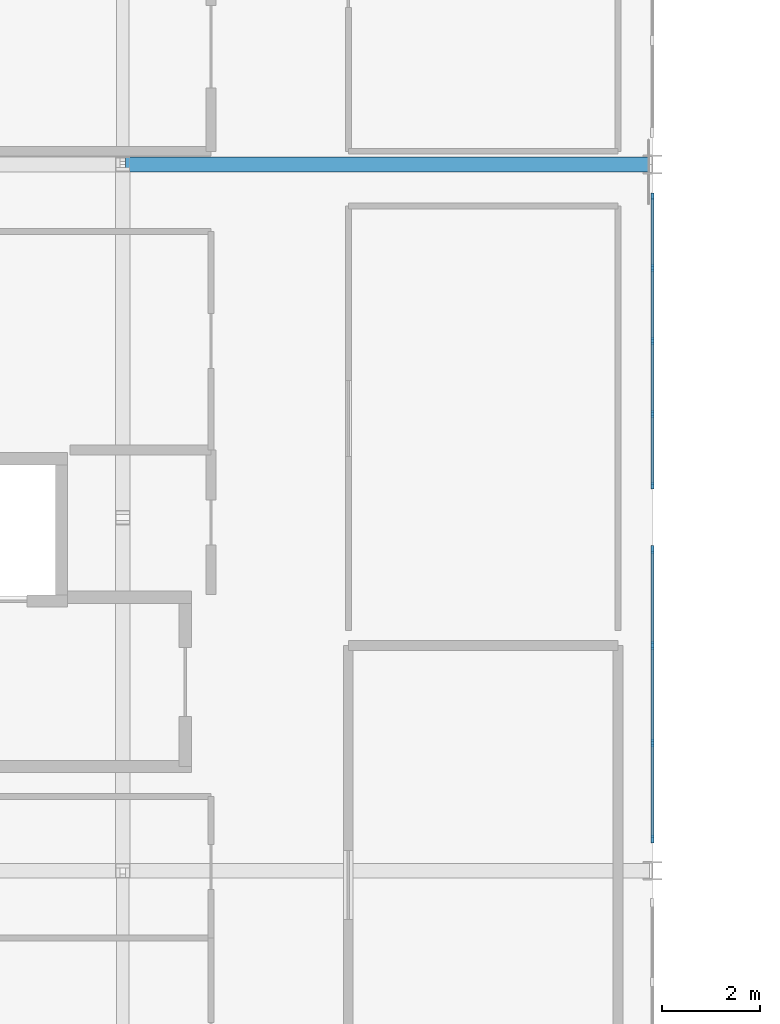
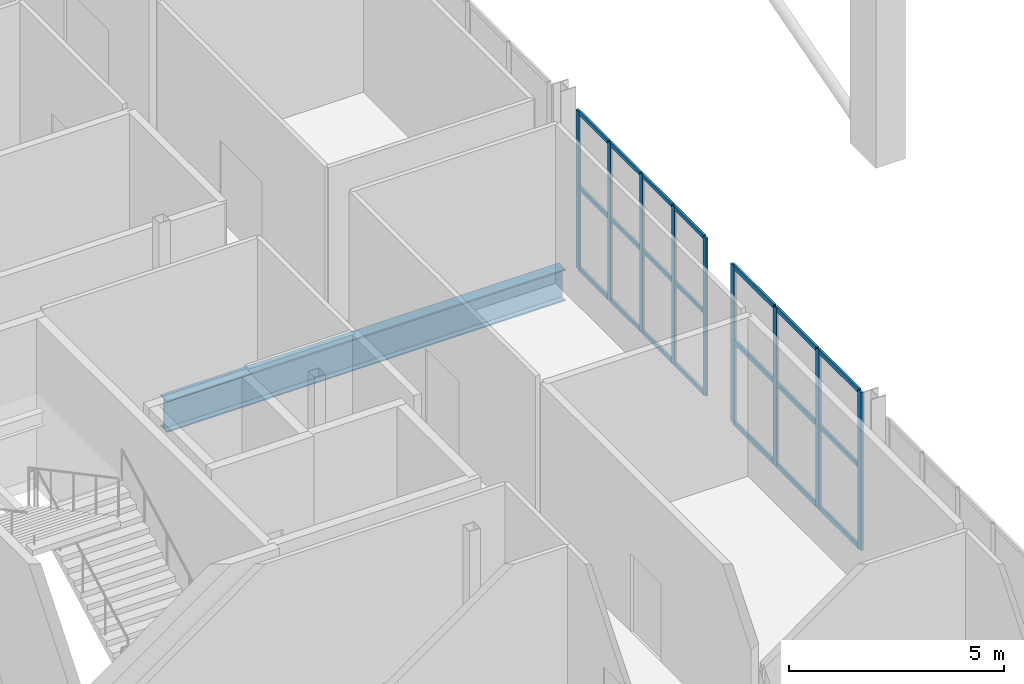
# One storey, part 13 of 51: 30 members, 1 beam, 2 elements without a shape of their own.
"""IFC4 building model written with IfcOpenShell, lengths in metres."""

from ifc_helpers import new_model, si_unit, direction, frame, origin, origin_2d, place, context, subcontext, project, spatial, rectangle, i_section, extrude, material, material_profile, profile_set, type_object, element, aggregate, save


model = new_model("IFC4")

# Units and contexts
model_context = context("Model", 3, precision=1e-05, world=origin(), true_north=direction((0.0, 1.0)))
body_context = subcontext(model_context, "Body", "Model", "MODEL_VIEW")
ifc_project = project(units=[si_unit("LENGTHUNIT", "METRE"), si_unit("AREAUNIT", "SQUARE_METRE"), si_unit("VOLUMEUNIT", "CUBIC_METRE"), si_unit("PLANEANGLEUNIT", "RADIAN"), si_unit("MASSUNIT", "GRAM", prefix="KILO")], contexts=[model_context])

# Site, building, storey
site_placement = place(None, origin())
site = spatial("IfcSite", under=ifc_project, at=site_placement, CompositionType="ELEMENT")
building_placement = place(site_placement, origin())
building = spatial("IfcBuilding", under=site, at=building_placement, Name="Koshinbarg Plaza Stadium", CompositionType="ELEMENT")
storey_placement = place(building_placement, frame((0.0, 0.0, 24.60009765625)))
storey = spatial("IfcBuildingStorey", under=building, at=storey_placement, Name="L05", CompositionType="ELEMENT", Elevation=24.60009765625)

# Beam
ifc_material_1 = material(Name="Steel S355", Category="steel")
ifc_material_profile_1 = material_profile(ifc_material_1, i_section(OverallWidth=0.300048828125, OverallDepth=0.89990234375, WebThickness=0.0185546875, FlangeThickness=0.034912109375, at=origin_2d()), Name="HEB 900")
ifc_profile_set_1 = profile_set([ifc_material_profile_1], Name="Steel S355")
beam_type = type_object("IfcBeamType", Name="BM-SGIR-05", PredefinedType="USERDEFINED", material=ifc_profile_set_1)
beam_placement = place(storey_placement, frame((35.4599609375, 111.89990234375, -0.75), z_axis=(1.0, 0.0, 0.0), x_axis=(0.0, 1.0, 0.0)))
element("IfcBeam", 1, at=beam_placement, inside=storey, type_object=beam_type, Name="L05 X girder Q/6-7", ObjectType="GIRDER", PredefinedType="USERDEFINED", context=body_context, shape_type="SweptSolid", body=[
    extrude(i_section(OverallWidth=0.300048828125, OverallDepth=0.89990234375, WebThickness=0.0185546875, FlangeThickness=0.034912109375, at=origin_2d()), origin(), (0.0, 0.0, 1.0), 10.679931640625),
])

# Curtain wall, members
ifc_material_2 = material(Name="Thermally broken anodised aluminium and low-E double glazing", Category="aluminium")
curtain_wall_type_1 = type_object("IfcCurtainWallType", Name="CW-SYS-05", PredefinedType="NOTDEFINED", material=ifc_material_2)
curtain_wall_1_placement = place(storey_placement, origin())
curtain_wall_1 = element("IfcCurtainWall", 2, at=curtain_wall_1_placement, inside=storey, type_object=curtain_wall_type_1, Name="L05 unitised curtain wall CW-L05-132", PredefinedType="NOTDEFINED")
ifc_material_3 = material(Name="Anodised aluminium mullion", Category="aluminium")
ifc_material_profile_2 = material_profile(ifc_material_3, rectangle(XDim=0.06005859375, YDim=0.139892578125, at=origin_2d()), Name="ALU 60x140")
ifc_profile_set_2 = profile_set([ifc_material_profile_2], Name="Anodised aluminium mullion")
member_type_1 = type_object("IfcMemberType", Name="CW-MUL-01", PredefinedType="MULLION", material=ifc_profile_set_2)
member_1_placement = place(storey_placement, frame((46.199951171875, 111.25, 0.0), z_axis=(0.0, 0.0, 1.0), x_axis=(1.0, 0.0, 0.0)))
member_1 = element("IfcMember", 3, at=member_1_placement, type_object=member_type_1, Name="CW05 mullion 1", PredefinedType="MULLION", context=body_context, shape_type="SweptSolid", body=[
    extrude(rectangle(XDim=0.06005859375, YDim=0.139892578125, at=origin_2d()), origin(), (0.0, 0.0, 1.0), 4.47998046875),
])
member_2_placement = place(storey_placement, frame((46.199951171875, 109.7900390625, 0.0), z_axis=(0.0, 0.0, 1.0), x_axis=(1.0, 0.0, 0.0)))
member_2 = element("IfcMember", 4, at=member_2_placement, type_object=member_type_1, Name="CW05 mullion 2", PredefinedType="MULLION", context=body_context, shape_type="SweptSolid", body=[
    extrude(rectangle(XDim=0.06005859375, YDim=0.139892578125, at=origin_2d()), origin(), (0.0, 0.0, 1.0), 4.47998046875),
])
member_3_placement = place(storey_placement, frame((46.199951171875, 108.300048828125, 0.0), z_axis=(0.0, 0.0, 1.0), x_axis=(1.0, 0.0, 0.0)))
member_3 = element("IfcMember", 5, at=member_3_placement, type_object=member_type_1, Name="CW05 mullion 3", PredefinedType="MULLION", context=body_context, shape_type="SweptSolid", body=[
    extrude(rectangle(XDim=0.06005859375, YDim=0.139892578125, at=origin_2d()), origin(), (0.0, 0.0, 1.0), 4.47998046875),
])
member_4_placement = place(storey_placement, frame((46.199951171875, 106.81005859375, 0.0), z_axis=(0.0, 0.0, 1.0), x_axis=(1.0, 0.0, 0.0)))
member_4 = element("IfcMember", 6, at=member_4_placement, type_object=member_type_1, Name="CW05 mullion 4", PredefinedType="MULLION", context=body_context, shape_type="SweptSolid", body=[
    extrude(rectangle(XDim=0.06005859375, YDim=0.139892578125, at=origin_2d()), origin(), (0.0, 0.0, 1.0), 4.47998046875),
])
member_5_placement = place(storey_placement, frame((46.199951171875, 105.35009765625, 0.0), z_axis=(0.0, 0.0, 1.0), x_axis=(1.0, 0.0, 0.0)))
member_5 = element("IfcMember", 7, at=member_5_placement, type_object=member_type_1, Name="CW05 mullion 5", PredefinedType="MULLION", context=body_context, shape_type="SweptSolid", body=[
    extrude(rectangle(XDim=0.06005859375, YDim=0.139892578125, at=origin_2d()), origin(), (0.0, 0.0, 1.0), 4.47998046875),
])

curtain_wall_type_2 = type_object("IfcCurtainWallType", Name="CW-SYS-06", PredefinedType="NOTDEFINED", material=ifc_material_2)
curtain_wall_2_placement = place(storey_placement, origin())
curtain_wall_2 = element("IfcCurtainWall", 8, at=curtain_wall_2_placement, inside=storey, type_object=curtain_wall_type_2, Name="L05 unitised curtain wall CW-L05-133", PredefinedType="NOTDEFINED")
ifc_material_profile_3 = material_profile(ifc_material_3, rectangle(XDim=0.06005859375, YDim=0.159912109375, at=origin_2d()), Name="ALU 60x160")
ifc_profile_set_3 = profile_set([ifc_material_profile_3], Name="Anodised aluminium mullion")
member_type_2 = type_object("IfcMemberType", Name="CW-MUL-02", PredefinedType="MULLION", material=ifc_profile_set_3)
member_6_placement = place(storey_placement, frame((46.199951171875, 104.050048828125, 0.0), z_axis=(0.0, 0.0, 1.0), x_axis=(1.0, 0.0, 0.0)))
member_6 = element("IfcMember", 9, at=member_6_placement, type_object=member_type_2, Name="CW06 mullion 1", PredefinedType="MULLION", context=body_context, shape_type="SweptSolid", body=[
    extrude(rectangle(XDim=0.06005859375, YDim=0.159912109375, at=origin_2d()), origin(), (0.0, 0.0, 1.0), 4.47998046875),
])
member_7_placement = place(storey_placement, frame((46.199951171875, 102.09326171875, 0.0), z_axis=(0.0, 0.0, 1.0), x_axis=(1.0, 0.0, 0.0)))
member_7 = element("IfcMember", 10, at=member_7_placement, type_object=member_type_2, Name="CW06 mullion 2", PredefinedType="MULLION", context=body_context, shape_type="SweptSolid", body=[
    extrude(rectangle(XDim=0.06005859375, YDim=0.159912109375, at=origin_2d()), origin(), (0.0, 0.0, 1.0), 4.47998046875),
])
member_8_placement = place(storey_placement, frame((46.199951171875, 100.106689453125, 0.0), z_axis=(0.0, 0.0, 1.0), x_axis=(1.0, 0.0, 0.0)))
member_8 = element("IfcMember", 11, at=member_8_placement, type_object=member_type_2, Name="CW06 mullion 3", PredefinedType="MULLION", context=body_context, shape_type="SweptSolid", body=[
    extrude(rectangle(XDim=0.06005859375, YDim=0.159912109375, at=origin_2d()), origin(), (0.0, 0.0, 1.0), 4.47998046875),
])
member_9_placement = place(storey_placement, frame((46.199951171875, 98.14990234375, 0.0), z_axis=(0.0, 0.0, 1.0), x_axis=(1.0, 0.0, 0.0)))
member_9 = element("IfcMember", 12, at=member_9_placement, type_object=member_type_2, Name="CW06 mullion 4", PredefinedType="MULLION", context=body_context, shape_type="SweptSolid", body=[
    extrude(rectangle(XDim=0.06005859375, YDim=0.159912109375, at=origin_2d()), origin(), (0.0, 0.0, 1.0), 4.47998046875),
])

# Member
ifc_material_4 = material(Name="Anodised aluminium transom", Category="aluminium")
ifc_material_profile_4 = material_profile(ifc_material_4, rectangle(XDim=0.06005859375, YDim=0.110107421875, at=origin_2d()), Name="ALU 60x110")
ifc_profile_set_4 = profile_set([ifc_material_profile_4], Name="Anodised aluminium transom")
member_type_3 = type_object("IfcMemberType", Name="CW-TRN-01", PredefinedType="USERDEFINED", material=ifc_profile_set_4)
member_10_placement = place(storey_placement, frame((46.199951171875, 111.219970703125, 0.02978515625), z_axis=(0.0, -1.0, 0.0), x_axis=(1.0, 0.0, 0.0)))
member_10 = element("IfcMember", 13, at=member_10_placement, type_object=member_type_3, Name="CW05 transom 1.1", ObjectType="TRANSOM", PredefinedType="USERDEFINED", context=body_context, shape_type="SweptSolid", body=[
    extrude(rectangle(XDim=0.06005859375, YDim=0.110107421875, at=origin_2d()), origin(), (0.0, 0.0, 1.0), 1.39990234375),
])

member_11_placement = place(storey_placement, frame((46.199951171875, 111.219970703125, 2.32958984375), z_axis=(0.0, -1.0, 0.0), x_axis=(1.0, 0.0, 0.0)))
member_11 = element("IfcMember", 14, at=member_11_placement, type_object=member_type_3, Name="CW05 transom 1.2", ObjectType="TRANSOM", PredefinedType="USERDEFINED", context=body_context, shape_type="SweptSolid", body=[
    extrude(rectangle(XDim=0.06005859375, YDim=0.110107421875, at=origin_2d()), origin(), (0.0, 0.0, 1.0), 1.39990234375),
])

member_12_placement = place(storey_placement, frame((46.199951171875, 111.219970703125, 4.449951171875), z_axis=(0.0, -1.0, 0.0), x_axis=(1.0, 0.0, 0.0)))
member_12 = element("IfcMember", 15, at=member_12_placement, type_object=member_type_3, Name="CW05 transom 1.3", ObjectType="TRANSOM", PredefinedType="USERDEFINED", context=body_context, shape_type="SweptSolid", body=[
    extrude(rectangle(XDim=0.06005859375, YDim=0.110107421875, at=origin_2d()), origin(), (0.0, 0.0, 1.0), 1.39990234375),
])

member_13_placement = place(storey_placement, frame((46.199951171875, 109.760009765625, 0.02978515625), z_axis=(0.0, -1.0, 0.0), x_axis=(1.0, 0.0, 0.0)))
member_13 = element("IfcMember", 16, at=member_13_placement, type_object=member_type_3, Name="CW05 transom 2.1", ObjectType="TRANSOM", PredefinedType="USERDEFINED", context=body_context, shape_type="SweptSolid", body=[
    extrude(rectangle(XDim=0.06005859375, YDim=0.110107421875, at=origin_2d()), origin(), (0.0, 0.0, 1.0), 1.429931640625),
])

member_14_placement = place(storey_placement, frame((46.199951171875, 109.760009765625, 2.32958984375), z_axis=(0.0, -1.0, 0.0), x_axis=(1.0, 0.0, 0.0)))
member_14 = element("IfcMember", 17, at=member_14_placement, type_object=member_type_3, Name="CW05 transom 2.2", ObjectType="TRANSOM", PredefinedType="USERDEFINED", context=body_context, shape_type="SweptSolid", body=[
    extrude(rectangle(XDim=0.06005859375, YDim=0.110107421875, at=origin_2d()), origin(), (0.0, 0.0, 1.0), 1.429931640625),
])

member_15_placement = place(storey_placement, frame((46.199951171875, 109.760009765625, 4.449951171875), z_axis=(0.0, -1.0, 0.0), x_axis=(1.0, 0.0, 0.0)))
member_15 = element("IfcMember", 18, at=member_15_placement, type_object=member_type_3, Name="CW05 transom 2.3", ObjectType="TRANSOM", PredefinedType="USERDEFINED", context=body_context, shape_type="SweptSolid", body=[
    extrude(rectangle(XDim=0.06005859375, YDim=0.110107421875, at=origin_2d()), origin(), (0.0, 0.0, 1.0), 1.429931640625),
])

member_16_placement = place(storey_placement, frame((46.199951171875, 108.27001953125, 0.02978515625), z_axis=(0.0, -1.0, 0.0), x_axis=(1.0, 0.0, 0.0)))
member_16 = element("IfcMember", 19, at=member_16_placement, type_object=member_type_3, Name="CW05 transom 3.1", ObjectType="TRANSOM", PredefinedType="USERDEFINED", context=body_context, shape_type="SweptSolid", body=[
    extrude(rectangle(XDim=0.06005859375, YDim=0.110107421875, at=origin_2d()), origin(), (0.0, 0.0, 1.0), 1.429931640625),
])

member_17_placement = place(storey_placement, frame((46.199951171875, 108.27001953125, 2.32958984375), z_axis=(0.0, -1.0, 0.0), x_axis=(1.0, 0.0, 0.0)))
member_17 = element("IfcMember", 20, at=member_17_placement, type_object=member_type_3, Name="CW05 transom 3.2", ObjectType="TRANSOM", PredefinedType="USERDEFINED", context=body_context, shape_type="SweptSolid", body=[
    extrude(rectangle(XDim=0.06005859375, YDim=0.110107421875, at=origin_2d()), origin(), (0.0, 0.0, 1.0), 1.429931640625),
])

member_18_placement = place(storey_placement, frame((46.199951171875, 108.27001953125, 4.449951171875), z_axis=(0.0, -1.0, 0.0), x_axis=(1.0, 0.0, 0.0)))
member_18 = element("IfcMember", 21, at=member_18_placement, type_object=member_type_3, Name="CW05 transom 3.3", ObjectType="TRANSOM", PredefinedType="USERDEFINED", context=body_context, shape_type="SweptSolid", body=[
    extrude(rectangle(XDim=0.06005859375, YDim=0.110107421875, at=origin_2d()), origin(), (0.0, 0.0, 1.0), 1.429931640625),
])

member_19_placement = place(storey_placement, frame((46.199951171875, 106.780029296875, 0.02978515625), z_axis=(0.0, -1.0, 0.0), x_axis=(1.0, 0.0, 0.0)))
member_19 = element("IfcMember", 22, at=member_19_placement, type_object=member_type_3, Name="CW05 transom 4.1", ObjectType="TRANSOM", PredefinedType="USERDEFINED", context=body_context, shape_type="SweptSolid", body=[
    extrude(rectangle(XDim=0.06005859375, YDim=0.110107421875, at=origin_2d()), origin(), (0.0, 0.0, 1.0), 1.400146484375),
])

member_20_placement = place(storey_placement, frame((46.199951171875, 106.780029296875, 2.32958984375), z_axis=(0.0, -1.0, 0.0), x_axis=(1.0, 0.0, 0.0)))
member_20 = element("IfcMember", 23, at=member_20_placement, type_object=member_type_3, Name="CW05 transom 4.2", ObjectType="TRANSOM", PredefinedType="USERDEFINED", context=body_context, shape_type="SweptSolid", body=[
    extrude(rectangle(XDim=0.06005859375, YDim=0.110107421875, at=origin_2d()), origin(), (0.0, 0.0, 1.0), 1.400146484375),
])

member_21_placement = place(storey_placement, frame((46.199951171875, 106.780029296875, 4.449951171875), z_axis=(0.0, -1.0, 0.0), x_axis=(1.0, 0.0, 0.0)))
member_21 = element("IfcMember", 24, at=member_21_placement, type_object=member_type_3, Name="CW05 transom 4.3", ObjectType="TRANSOM", PredefinedType="USERDEFINED", context=body_context, shape_type="SweptSolid", body=[
    extrude(rectangle(XDim=0.06005859375, YDim=0.110107421875, at=origin_2d()), origin(), (0.0, 0.0, 1.0), 1.400146484375),
])

aggregate(curtain_wall_1, [member_1, member_2, member_3, member_4, member_5, member_10, member_11, member_12, member_13, member_14, member_15, member_16, member_17, member_18, member_19, member_20, member_21])

ifc_material_profile_5 = material_profile(ifc_material_4, rectangle(XDim=0.06005859375, YDim=0.1298828125, at=origin_2d()), Name="ALU 60x130")
ifc_profile_set_5 = profile_set([ifc_material_profile_5], Name="Anodised aluminium transom")
member_type_4 = type_object("IfcMemberType", Name="CW-TRN-02", PredefinedType="USERDEFINED", material=ifc_profile_set_5)
member_22_placement = place(storey_placement, frame((46.199951171875, 104.02001953125, 0.02978515625), z_axis=(0.0, -1.0, 0.0), x_axis=(1.0, 0.0, 0.0)))
member_22 = element("IfcMember", 25, at=member_22_placement, type_object=member_type_4, Name="CW06 transom 1.1", ObjectType="TRANSOM", PredefinedType="USERDEFINED", context=body_context, shape_type="SweptSolid", body=[
    extrude(rectangle(XDim=0.06005859375, YDim=0.1298828125, at=origin_2d()), origin(), (0.0, 0.0, 1.0), 1.896728515625),
])

member_23_placement = place(storey_placement, frame((46.199951171875, 104.02001953125, 2.32958984375), z_axis=(0.0, -1.0, 0.0), x_axis=(1.0, 0.0, 0.0)))
member_23 = element("IfcMember", 26, at=member_23_placement, type_object=member_type_4, Name="CW06 transom 1.2", ObjectType="TRANSOM", PredefinedType="USERDEFINED", context=body_context, shape_type="SweptSolid", body=[
    extrude(rectangle(XDim=0.06005859375, YDim=0.1298828125, at=origin_2d()), origin(), (0.0, 0.0, 1.0), 1.896728515625),
])

member_24_placement = place(storey_placement, frame((46.199951171875, 104.02001953125, 4.449951171875), z_axis=(0.0, -1.0, 0.0), x_axis=(1.0, 0.0, 0.0)))
member_24 = element("IfcMember", 27, at=member_24_placement, type_object=member_type_4, Name="CW06 transom 1.3", ObjectType="TRANSOM", PredefinedType="USERDEFINED", context=body_context, shape_type="SweptSolid", body=[
    extrude(rectangle(XDim=0.06005859375, YDim=0.1298828125, at=origin_2d()), origin(), (0.0, 0.0, 1.0), 1.896728515625),
])

member_25_placement = place(storey_placement, frame((46.199951171875, 102.063232421875, 0.02978515625), z_axis=(0.0, -1.0, 0.0), x_axis=(1.0, 0.0, 0.0)))
member_25 = element("IfcMember", 28, at=member_25_placement, type_object=member_type_4, Name="CW06 transom 2.1", ObjectType="TRANSOM", PredefinedType="USERDEFINED", context=body_context, shape_type="SweptSolid", body=[
    extrude(rectangle(XDim=0.06005859375, YDim=0.1298828125, at=origin_2d()), origin(), (0.0, 0.0, 1.0), 1.926513671875),
])

member_26_placement = place(storey_placement, frame((46.199951171875, 102.063232421875, 2.32958984375), z_axis=(0.0, -1.0, 0.0), x_axis=(1.0, 0.0, 0.0)))
member_26 = element("IfcMember", 29, at=member_26_placement, type_object=member_type_4, Name="CW06 transom 2.2", ObjectType="TRANSOM", PredefinedType="USERDEFINED", context=body_context, shape_type="SweptSolid", body=[
    extrude(rectangle(XDim=0.06005859375, YDim=0.1298828125, at=origin_2d()), origin(), (0.0, 0.0, 1.0), 1.926513671875),
])

member_27_placement = place(storey_placement, frame((46.199951171875, 102.063232421875, 4.449951171875), z_axis=(0.0, -1.0, 0.0), x_axis=(1.0, 0.0, 0.0)))
member_27 = element("IfcMember", 30, at=member_27_placement, type_object=member_type_4, Name="CW06 transom 2.3", ObjectType="TRANSOM", PredefinedType="USERDEFINED", context=body_context, shape_type="SweptSolid", body=[
    extrude(rectangle(XDim=0.06005859375, YDim=0.1298828125, at=origin_2d()), origin(), (0.0, 0.0, 1.0), 1.926513671875),
])

member_28_placement = place(storey_placement, frame((46.199951171875, 100.07666015625, 0.02978515625), z_axis=(0.0, -1.0, 0.0), x_axis=(1.0, 0.0, 0.0)))
member_28 = element("IfcMember", 31, at=member_28_placement, type_object=member_type_4, Name="CW06 transom 3.1", ObjectType="TRANSOM", PredefinedType="USERDEFINED", context=body_context, shape_type="SweptSolid", body=[
    extrude(rectangle(XDim=0.06005859375, YDim=0.1298828125, at=origin_2d()), origin(), (0.0, 0.0, 1.0), 1.896728515625),
])

member_29_placement = place(storey_placement, frame((46.199951171875, 100.07666015625, 2.32958984375), z_axis=(0.0, -1.0, 0.0), x_axis=(1.0, 0.0, 0.0)))
member_29 = element("IfcMember", 32, at=member_29_placement, type_object=member_type_4, Name="CW06 transom 3.2", ObjectType="TRANSOM", PredefinedType="USERDEFINED", context=body_context, shape_type="SweptSolid", body=[
    extrude(rectangle(XDim=0.06005859375, YDim=0.1298828125, at=origin_2d()), origin(), (0.0, 0.0, 1.0), 1.896728515625),
])

member_30_placement = place(storey_placement, frame((46.199951171875, 100.07666015625, 4.449951171875), z_axis=(0.0, -1.0, 0.0), x_axis=(1.0, 0.0, 0.0)))
member_30 = element("IfcMember", 33, at=member_30_placement, type_object=member_type_4, Name="CW06 transom 3.3", ObjectType="TRANSOM", PredefinedType="USERDEFINED", context=body_context, shape_type="SweptSolid", body=[
    extrude(rectangle(XDim=0.06005859375, YDim=0.1298828125, at=origin_2d()), origin(), (0.0, 0.0, 1.0), 1.896728515625),
])

aggregate(curtain_wall_2, [member_6, member_7, member_8, member_9, member_22, member_23, member_24, member_25, member_26, member_27, member_28, member_29, member_30])

save(model, "model.ifc")
